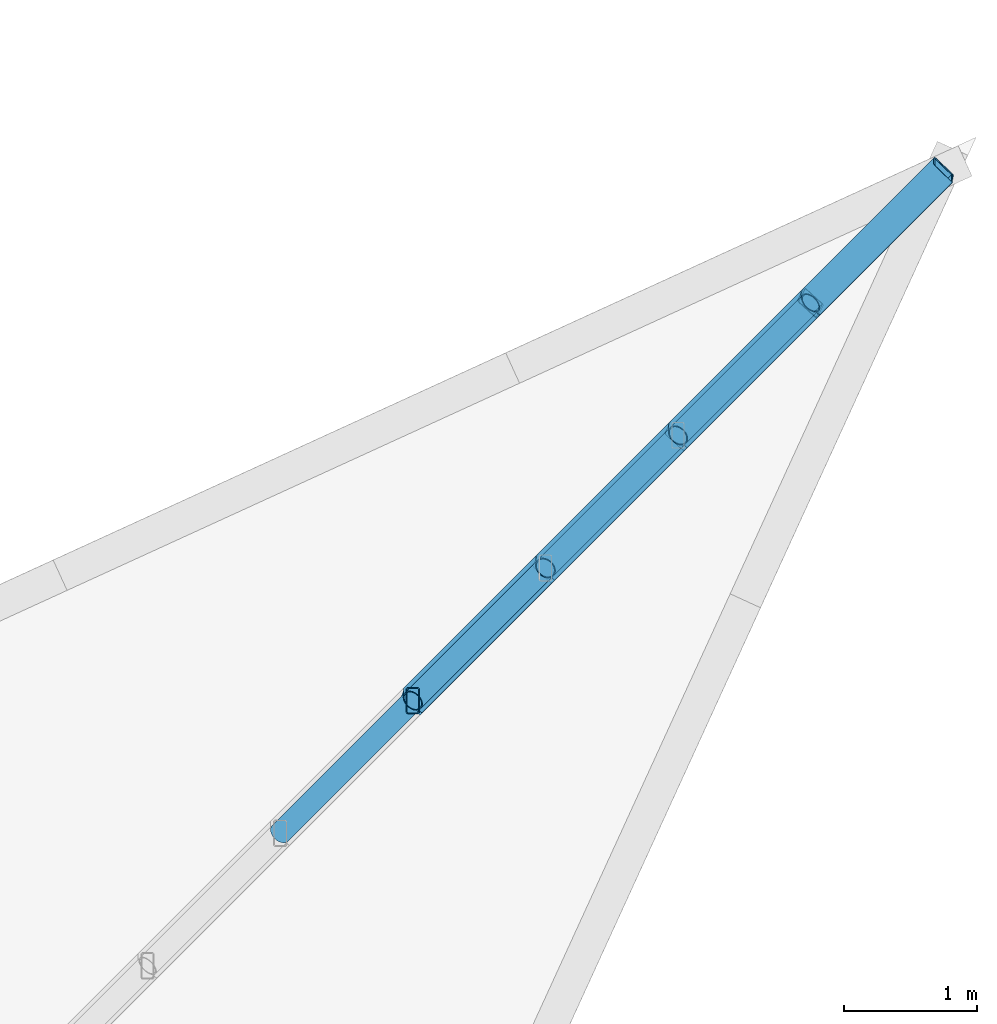
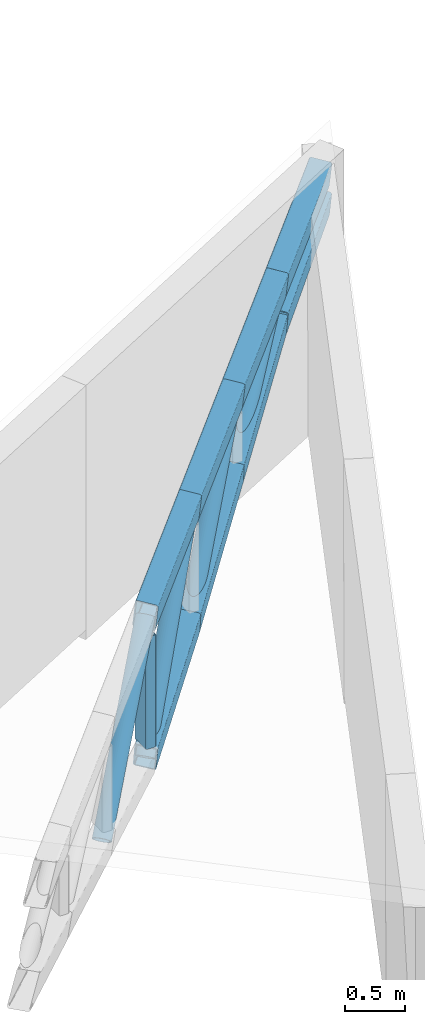
# One storey, part 7 of 32: 13 members.
"""IFC4 building model written with IfcOpenShell, lengths in metres."""

import ifcopenshell
import ifcopenshell.guid

model = None  # the IFC model being written
_history = None  # IfcOwnerHistory: only IFC2X3 demands one
_inside = {}  # id of a spatial element -> (the spatial element, [elements in it])
_under = {}  # id of a project, library or spatial element -> (it, [spatial elements below it])
_declared = {}  # id of a project -> (the project, [libraries it declares])
_typed = {}  # id of a type object -> (the type object, [elements of that type])
_made_of = {}  # id of a material, layer set ... -> (it, [elements and type objects made of it])


def new_model(schema):
    """Start an empty IFC model of exactly this schema.

    Asked for "IFC4X3", IfcOpenShell would pick the latest addendum, in which some entities
    have other attributes; the version numbers below select the first issue.
    IFC2X3 requires an IfcOwnerHistory on every rooted entity: one is made here for all.
    """
    global model, _history
    if schema == "IFC4X3":
        model = ifcopenshell.file(schema_version=(4, 3, 0, 0))
    else:
        model = ifcopenshell.file(schema=schema)
    _inside.clear()
    _under.clear()
    _declared.clear()
    _typed.clear()
    _made_of.clear()
    _history = None
    if model.schema == "IFC2X3":
        org = make("IfcOrganization", Name="unknown")
        user = make(
            "IfcPersonAndOrganization",
            ThePerson=make("IfcPerson", FamilyName="unknown"),
            TheOrganization=org,
        )
        app = make(
            "IfcApplication",
            ApplicationDeveloper=org,
            Version="unknown",
            ApplicationFullName="unknown",
            ApplicationIdentifier="unknown",
        )
        _history = make(
            "IfcOwnerHistory",
            OwningUser=user,
            OwningApplication=app,
            ChangeAction="ADDED",
            CreationDate=0,
        )
    return model


def make(cls, **values):
    """One entity of the class cls with the attributes given. An attribute that is None is left unset."""
    return model.create_entity(
        cls, **{name: value for name, value in values.items() if value is not None}
    )


def rooted(cls, **values):
    """An entity with a GlobalId (a new one), such as an element, a storey or a relation."""
    return make(cls, GlobalId=ifcopenshell.guid.new(), OwnerHistory=_history, **values)


def si_unit(unit_type, name, prefix=None):
    """IfcSIUnit, for example si_unit("LENGTHUNIT", "METRE", prefix="MILLI")."""
    return make("IfcSIUnit", UnitType=unit_type, Prefix=prefix, Name=name)


def assignment(units):
    """IfcUnitAssignment: the units of a project."""
    return None if units is None else make("IfcUnitAssignment", Units=units)


def point(xyz):
    """IfcCartesianPoint."""
    return None if xyz is None else make("IfcCartesianPoint", Coordinates=xyz)


def direction(xyz):
    """IfcDirection."""
    return None if xyz is None else make("IfcDirection", DirectionRatios=xyz)


def frame(location, z_axis=None, x_axis=None):
    """IfcAxis2Placement3D, a coordinate frame: its origin and axes. An axis left out is left unset."""
    return make(
        "IfcAxis2Placement3D",
        Location=point(location),
        Axis=direction(z_axis),
        RefDirection=direction(x_axis),
    )


def frame_2d(location, x_axis=None):
    """IfcAxis2Placement2D, a coordinate frame in the plane: its origin and x axis."""
    return make(
        "IfcAxis2Placement2D", Location=point(location), RefDirection=direction(x_axis)
    )


def origin():
    """The frame at (0, 0, 0) with its axes left unset."""
    return frame((0.0, 0.0, 0.0))


def origin_2d():
    """The frame at (0, 0) in the plane with its x axis left unset."""
    return frame_2d((0.0, 0.0))


def place(relative_to, where):
    """IfcLocalPlacement: puts the frame where relative to a parent placement (None: the world)."""
    return make(
        "IfcLocalPlacement", PlacementRelTo=relative_to, RelativePlacement=where
    )


def context(
    kind, dimensions, precision=None, world=None, true_north=None, identifier=None
):
    """IfcGeometricRepresentationContext, for example the 3D "Model" context."""
    return make(
        "IfcGeometricRepresentationContext",
        ContextIdentifier=identifier,
        ContextType=kind,
        CoordinateSpaceDimension=dimensions,
        Precision=precision,
        WorldCoordinateSystem=world,
        TrueNorth=true_north,
    )


def subcontext(parent, identifier, kind, view, scale=None):
    """IfcGeometricRepresentationSubContext, for example "Body" below "Model"."""
    return make(
        "IfcGeometricRepresentationSubContext",
        ContextIdentifier=identifier,
        ContextType=kind,
        ParentContext=parent,
        TargetScale=scale,
        TargetView=view,
    )


def project(units=None, contexts=None):
    """IfcProject with its units and contexts."""
    return rooted(
        "IfcProject",
        Name="project",
        RepresentationContexts=contexts,
        UnitsInContext=assignment(units),
    )


def spatial(cls, under=None, at=None, **own):
    """A site, building, storey or space (cls), placed at a placement, below another one or the project."""
    s = rooted(cls, ObjectPlacement=at, **own)
    if under is not None:
        _under.setdefault(under.id(), (under, []))[1].append(s)
    return s


def profile(cls, at=None, kind="AREA", **sizes):
    """A parametric profile (cls). Its sizes go by their IFC names, for example OverallWidth=200.0."""
    return make(cls, ProfileType=kind, Position=at, **sizes)


def hollow_rectangle(**sizes):
    """IfcRectangleHollowProfileDef."""
    return profile("IfcRectangleHollowProfileDef", **sizes)


def hollow_circle(**sizes):
    """IfcCircleHollowProfileDef."""
    return profile("IfcCircleHollowProfileDef", **sizes)


def extrude(swept, where, along, depth):
    """IfcExtrudedAreaSolid: the profile swept, set in the frame where, extruded along a direction by depth."""
    return make(
        "IfcExtrudedAreaSolid",
        SweptArea=swept,
        Position=where,
        ExtrudedDirection=direction(along),
        Depth=depth,
    )


def shape(context_of_items, identifier, shape_type, items):
    """IfcShapeRepresentation: the items that make up one representation, for example the "Body"."""
    return make(
        "IfcShapeRepresentation",
        ContextOfItems=context_of_items,
        RepresentationIdentifier=identifier,
        RepresentationType=shape_type,
        Items=items,
    )


def material(Name=None, Category=None):
    """IfcMaterial."""
    return make("IfcMaterial", Name=Name, Category=Category)


def material_profile(
    of_material, cross_section, Name=None, Category=None, Priority=None
):
    """IfcMaterialProfile: a cross section and its material."""
    return make(
        "IfcMaterialProfile",
        Name=Name,
        Material=of_material,
        Profile=cross_section,
        Priority=Priority,
        Category=Category,
    )


def profile_set(profiles, Name=None, composite=None):
    """IfcMaterialProfileSet."""
    return make(
        "IfcMaterialProfileSet",
        Name=Name,
        MaterialProfiles=profiles,
        CompositeProfile=composite,
    )


def made_of(thing, what):
    """Note that an element or type object is made of a material, layer set ...; save() writes the relation."""
    if what is not None:
        _made_of.setdefault(what.id(), (what, []))[1].append(thing)
    return thing


def type_object(cls, material=None, **own):
    """A type object (cls), such as IfcWallType, which elements share."""
    return made_of(rooted(cls, **own), material)


def element(
    cls,
    number,
    at=None,
    inside=None,
    cuts=None,
    type_object=None,
    material=None,
    context=None,
    identifier="Body",
    shape_type=None,
    held_by="IfcProductDefinitionShape",
    body=None,
    shapes=None,
    **own,
):
    """One element of the class cls, such as IfcWall. Its Tag is "e" and its number.

    at: its placement. inside: the storey or other place that contains it. cuts: it is an
    opening in that element (IfcRelVoidsElement). A single representation is given by context,
    identifier, shape_type and body (its items); several are given by shapes. held_by: the class
    of the entity that holds the representations. save() writes the other relations.
    """
    e = rooted(cls, Tag="e%d" % number, ObjectPlacement=at, **own)
    if body is not None:
        shapes = [shape(context, identifier, shape_type, body)]
    if shapes is not None:
        e.Representation = make(held_by, Representations=shapes)
    if inside is not None:
        _inside.setdefault(inside.id(), (inside, []))[1].append(e)
    if cuts is not None:
        rooted(
            "IfcRelVoidsElement", RelatingBuildingElement=cuts, RelatedOpeningElement=e
        )
    if type_object is not None:
        _typed.setdefault(type_object.id(), (type_object, []))[1].append(e)
    return made_of(e, material)


def aggregate(whole, parts):
    """IfcRelAggregates: a whole, such as a stair, and the parts it consists of."""
    return rooted("IfcRelAggregates", RelatingObject=whole, RelatedObjects=parts)


def save(model, path):
    """Write the relations noted so far, then the file.

    IfcRelAggregates (storeys below a building ...), IfcRelContainedInSpatialStructure (elements
    in a storey), IfcRelDefinesByType, IfcRelAssociatesMaterial and IfcRelDeclares: one each for
    every whole, place, type object, material and project.
    """
    for whole, parts in _under.values():
        aggregate(whole, parts)
    for where, things in _inside.values():
        rooted(
            "IfcRelContainedInSpatialStructure",
            RelatedElements=things,
            RelatingStructure=where,
        )
    for kind, things in _typed.values():
        rooted("IfcRelDefinesByType", RelatedObjects=things, RelatingType=kind)
    for what, things in _made_of.values():
        rooted("IfcRelAssociatesMaterial", RelatedObjects=things, RelatingMaterial=what)
    for by, libraries in _declared.values():
        rooted("IfcRelDeclares", RelatingContext=by, RelatedDefinitions=libraries)
    model.write(path)


model = new_model("IFC4")

# Units and contexts
model_context = context("Model", 3, precision=1e-05, world=origin(), true_north=direction((0.0, 1.0)))
body_context = subcontext(model_context, "Body", "Model", "MODEL_VIEW")
ifc_project = project(units=[si_unit("LENGTHUNIT", "METRE"), si_unit("AREAUNIT", "SQUARE_METRE"), si_unit("VOLUMEUNIT", "CUBIC_METRE"), si_unit("PLANEANGLEUNIT", "RADIAN"), si_unit("MASSUNIT", "GRAM", prefix="KILO")], contexts=[model_context])

# Site, building, storey
site_placement = place(None, origin())
site = spatial("IfcSite", under=ifc_project, at=site_placement, CompositionType="ELEMENT")
building_placement = place(site_placement, origin())
building = spatial("IfcBuilding", under=site, at=building_placement, Name="Magnolia Steps Interchange", CompositionType="ELEMENT")
storey_placement = place(building_placement, frame((0.0, 0.0, 16.5)))
storey = spatial("IfcBuildingStorey", under=building, at=storey_placement, Name="L04", CompositionType="ELEMENT", Elevation=16.5)

# Members
ifc_material_1 = material(Name="Steel Q355B", Category="steel")
ifc_material_profile_1 = material_profile(ifc_material_1, hollow_rectangle(XDim=0.199951171875, YDim=0.300048828125, WallThickness=0.011962890625, InnerFilletRadius=0.011962890625, OuterFilletRadius=0.02392578125, at=origin_2d()), Name="RHS300x200x12")
ifc_profile_set_1 = profile_set([ifc_material_profile_1], Name="Steel Q355B")
member_type_1 = type_object("IfcMemberType", Name="Roof truss RHS300x200x12", PredefinedType="USERDEFINED", material=ifc_profile_set_1)
member_1_placement = place(storey_placement, frame((123.112060546875, 90.7119140625, 3.132080078125), z_axis=(0.70125708406, 0.70125708406, 0.1283627832), x_axis=(-0.71290847849, 0.689810731467, 0.12618500723)))
element("IfcMember", 1, at=member_1_placement, inside=storey, type_object=member_type_1, Name="Spike truss SP-H-NE top chord", ObjectType="Roof truss", PredefinedType="USERDEFINED", context=body_context, shape_type="SweptSolid", body=[
    extrude(hollow_rectangle(XDim=0.199951171875, YDim=0.300048828125, WallThickness=0.011962890625, InnerFilletRadius=0.011962890625, OuterFilletRadius=0.02392578125, at=origin_2d()), origin(), (0.0, 0.0, 1.0), 1.4169921875),
])
for number, where, z_axis, x_axis, name in (
    (2, (124.105712890625, 91.70556640625, 3.31396484375), (0.701185000648, 0.701357324315, 0.12820880818), (-0.712979375335, 0.689736989529, 0.12618754147), "Spike truss SP-H-NE top chord"),
    (3, (125.09912109375, 92.69921875, 3.49560546875), (0.70134181904, 0.701169499182, 0.128378293657), (-0.712825115021, 0.689896922601, 0.126184751775), "Spike truss SP-H-NE top chord"),
    (4, (126.0927734375, 93.692626953125, 3.677490234375), (0.701185000648, 0.701357324315, 0.12820880818), (-0.712979375335, 0.689736989529, 0.12618754147), "Spike truss SP-H-NE top chord"),
):
    element("IfcMember", number, at=place(storey_placement, frame(where, z_axis=z_axis, x_axis=x_axis)), inside=storey, type_object=member_type_1, Name=name, ObjectType="Roof truss", PredefinedType="USERDEFINED", context=body_context, shape_type="SweptSolid", body=[
        extrude(hollow_rectangle(XDim=0.199951171875, YDim=0.300048828125, WallThickness=0.011962890625, InnerFilletRadius=0.011962890625, OuterFilletRadius=0.02392578125, at=origin_2d()), origin(), (0.0, 0.0, 1.0), 1.416748046875),
    ])
member_2_placement = place(storey_placement, frame((123.112060546875, 90.7119140625, 1.689208984375), z_axis=(0.674842544028, 0.674842544028, 0.298621970957), x_axis=(-0.728458460933, 0.673907070354, 0.123278267439)))
element("IfcMember", 5, at=member_2_placement, inside=storey, type_object=member_type_1, Name="Spike truss SP-H-NE bottom chord", ObjectType="Roof truss", PredefinedType="USERDEFINED", context=body_context, shape_type="SweptSolid", body=[
    extrude(hollow_rectangle(XDim=0.199951171875, YDim=0.300048828125, WallThickness=0.011962890625, InnerFilletRadius=0.011962890625, OuterFilletRadius=0.02392578125, at=origin_2d()), origin(), (0.0, 0.0, 1.0), 1.472412109375),
])
for number, where, z_axis, x_axis, name in (
    (6, (124.105712890625, 91.70556640625, 2.12890625), (0.65403613215, 0.654196868481, 0.379819950914), (-0.736385982202, 0.665516141815, 0.121753645533), "Spike truss SP-H-NE bottom chord"),
    (7, (125.09912109375, 92.69921875, 2.705810546875), (0.654236802971, 0.654076056828, 0.379682390324), (-0.736209618443, 0.665709874978, 0.121761077806), "Spike truss SP-H-NE bottom chord"),
):
    element("IfcMember", number, at=place(storey_placement, frame(where, z_axis=z_axis, x_axis=x_axis)), inside=storey, type_object=member_type_1, Name=name, ObjectType="Roof truss", PredefinedType="USERDEFINED", context=body_context, shape_type="SweptSolid", body=[
        extrude(hollow_rectangle(XDim=0.199951171875, YDim=0.300048828125, WallThickness=0.011962890625, InnerFilletRadius=0.011962890625, OuterFilletRadius=0.02392578125, at=origin_2d()), origin(), (0.0, 0.0, 1.0), 1.518798828125),
    ])
member_3_placement = place(storey_placement, frame((126.0927734375, 93.692626953125, 3.282470703125), z_axis=(0.693704800309, 0.693875285637, 0.193159876813), x_axis=(-0.718834774869, 0.683830792316, 0.125108009016)))
element("IfcMember", 8, at=member_3_placement, inside=storey, type_object=member_type_1, Name="Spike truss SP-H-NE bottom chord", ObjectType="Roof truss", PredefinedType="USERDEFINED", context=body_context, shape_type="SweptSolid", body=[
    extrude(hollow_rectangle(XDim=0.199951171875, YDim=0.300048828125, WallThickness=0.011962890625, InnerFilletRadius=0.011962890625, OuterFilletRadius=0.02392578125, at=origin_2d()), origin(), (0.0, 0.0, 1.0), 1.43212890625),
])
ifc_material_2 = material(Name="Steel Q355B", Category="steel")
ifc_material_profile_2 = material_profile(ifc_material_2, hollow_circle(Radius=0.083984375, WallThickness=0.008056640625, at=origin_2d()), Name="CHS168x8")
ifc_profile_set_2 = profile_set([ifc_material_profile_2], Name="Steel Q355B")
member_type_2 = type_object("IfcMemberType", Name="Roof truss diagonal CHS168x8", PredefinedType="USERDEFINED", material=ifc_profile_set_2)
member_4_placement = place(storey_placement, frame((122.118408203125, 89.718505859375, 1.788330078125), z_axis=(0.511088480742, 0.510962906177, 0.691162407372), x_axis=(-0.775101744641, 0.621526369262, 0.113676109041)))
element("IfcMember", 9, at=member_4_placement, inside=storey, type_object=member_type_2, Name="Spike truss SP-H-NE diagonal", ObjectType="Roof truss diagonal", PredefinedType="USERDEFINED", context=body_context, shape_type="SweptSolid", body=[
    extrude(hollow_circle(Radius=0.083984375, WallThickness=0.008056640625, at=origin_2d()), origin(), (0.0, 0.0, 1.0), 1.944091796875),
])
member_5_placement = place(storey_placement, frame((123.112060546875, 90.7119140625, 1.689208984375), z_axis=(0.462563245392, 0.462563245392, 0.756353414763), x_axis=(-0.787538490122, 0.606205205238, 0.110898041995)))
element("IfcMember", 10, at=member_5_placement, inside=storey, type_object=member_type_2, Name="Spike truss SP-H-NE diagonal", ObjectType="Roof truss diagonal", PredefinedType="USERDEFINED", context=body_context, shape_type="SweptSolid", body=[
    extrude(hollow_circle(Radius=0.083984375, WallThickness=0.008056640625, at=origin_2d()), origin(), (0.0, 0.0, 1.0), 2.148193359375),
])
member_6_placement = place(storey_placement, frame((124.105712890625, 91.70556640625, 2.12890625), z_axis=(0.506809813063, 0.506934366961, 0.697252723894), x_axis=(-0.776298970442, 0.620072706483, 0.113444908064)))
element("IfcMember", 11, at=member_6_placement, inside=storey, type_object=member_type_2, Name="Spike truss SP-H-NE diagonal", ObjectType="Roof truss diagonal", PredefinedType="USERDEFINED", context=body_context, shape_type="SweptSolid", body=[
    extrude(hollow_circle(Radius=0.083984375, WallThickness=0.008056640625, at=origin_2d()), origin(), (0.0, 0.0, 1.0), 1.960205078125),
])
member_7_placement = place(storey_placement, frame((125.09912109375, 92.69921875, 2.705810546875), z_axis=(0.581653792208, 0.581510879728, 0.568791669039), x_axis=(-0.757236910021, 0.642482226513, 0.117511066357)))
element("IfcMember", 12, at=member_7_placement, inside=storey, type_object=member_type_2, Name="Spike truss SP-H-NE diagonal", ObjectType="Roof truss diagonal", PredefinedType="USERDEFINED", context=body_context, shape_type="SweptSolid", body=[
    extrude(hollow_circle(Radius=0.083984375, WallThickness=0.008056640625, at=origin_2d()), origin(), (0.0, 0.0, 1.0), 1.708251953125),
])
ifc_material_3 = material(Name="Steel Q355B", Category="steel")
ifc_material_profile_3 = material_profile(ifc_material_3, hollow_rectangle(XDim=0.10009765625, YDim=0.199951171875, WallThickness=0.008056640625, InnerFilletRadius=0.008056640625, OuterFilletRadius=0.01611328125, at=origin_2d()), Name="RHS200x100x8")
ifc_profile_set_3 = profile_set([ifc_material_profile_3], Name="Steel Q355B")
member_type_3 = type_object("IfcMemberType", Name="Roof truss post RHS200x100x8", PredefinedType="USERDEFINED", material=ifc_profile_set_3)
member_8_placement = place(storey_placement, frame((123.112060546875, 90.7119140625, 1.839111328125), z_axis=(0.0, 0.0, 1.0), x_axis=(1.0, 0.0, 0.0)))
element("IfcMember", 13, at=member_8_placement, inside=storey, type_object=member_type_3, Name="Spike truss SP-H-NE post", ObjectType="Roof truss post", PredefinedType="USERDEFINED", context=body_context, shape_type="SweptSolid", body=[
    extrude(hollow_rectangle(XDim=0.10009765625, YDim=0.199951171875, WallThickness=0.008056640625, InnerFilletRadius=0.008056640625, OuterFilletRadius=0.01611328125, at=origin_2d()), origin(), (0.0, 0.0, 1.0), 1.14306640625),
])

save(model, "model.ifc")
